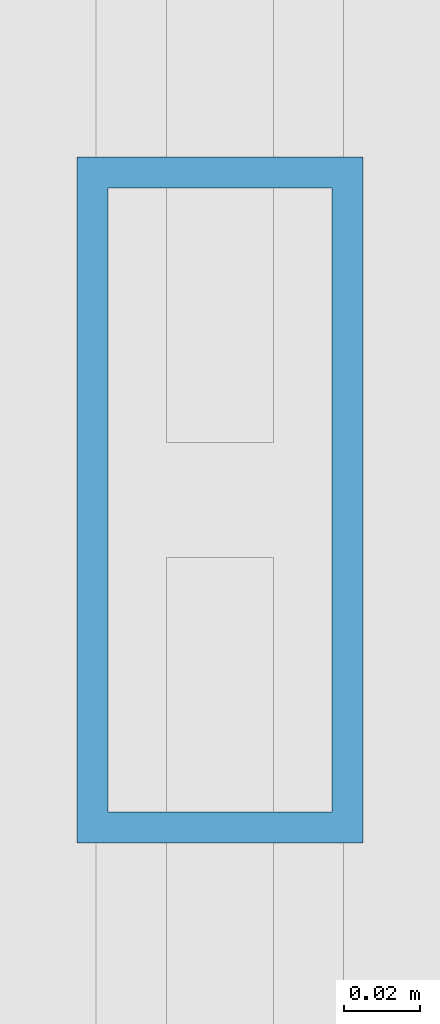
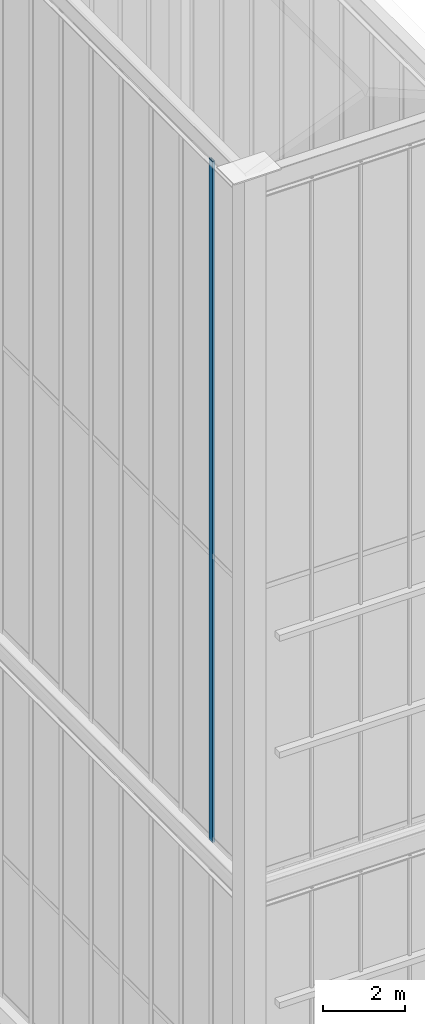
# One storey, part 38 of 135: 1 member, 1 element without a shape of its own.
"""IFC4 building model written with IfcOpenShell, lengths in metres."""

import ifcopenshell
import ifcopenshell.guid

model = None  # the IFC model being written
_history = None  # IfcOwnerHistory: only IFC2X3 demands one
_inside = {}  # id of a spatial element -> (the spatial element, [elements in it])
_under = {}  # id of a project, library or spatial element -> (it, [spatial elements below it])
_declared = {}  # id of a project -> (the project, [libraries it declares])
_typed = {}  # id of a type object -> (the type object, [elements of that type])
_made_of = {}  # id of a material, layer set ... -> (it, [elements and type objects made of it])


def new_model(schema):
    """Start an empty IFC model of exactly this schema.

    Asked for "IFC4X3", IfcOpenShell would pick the latest addendum, in which some entities
    have other attributes; the version numbers below select the first issue.
    IFC2X3 requires an IfcOwnerHistory on every rooted entity: one is made here for all.
    """
    global model, _history
    if schema == "IFC4X3":
        model = ifcopenshell.file(schema_version=(4, 3, 0, 0))
    else:
        model = ifcopenshell.file(schema=schema)
    _inside.clear()
    _under.clear()
    _declared.clear()
    _typed.clear()
    _made_of.clear()
    _history = None
    if model.schema == "IFC2X3":
        org = make("IfcOrganization", Name="unknown")
        user = make(
            "IfcPersonAndOrganization",
            ThePerson=make("IfcPerson", FamilyName="unknown"),
            TheOrganization=org,
        )
        app = make(
            "IfcApplication",
            ApplicationDeveloper=org,
            Version="unknown",
            ApplicationFullName="unknown",
            ApplicationIdentifier="unknown",
        )
        _history = make(
            "IfcOwnerHistory",
            OwningUser=user,
            OwningApplication=app,
            ChangeAction="ADDED",
            CreationDate=0,
        )
    return model


def make(cls, **values):
    """One entity of the class cls with the attributes given. An attribute that is None is left unset."""
    return model.create_entity(
        cls, **{name: value for name, value in values.items() if value is not None}
    )


def rooted(cls, **values):
    """An entity with a GlobalId (a new one), such as an element, a storey or a relation."""
    return make(cls, GlobalId=ifcopenshell.guid.new(), OwnerHistory=_history, **values)


def si_unit(unit_type, name, prefix=None):
    """IfcSIUnit, for example si_unit("LENGTHUNIT", "METRE", prefix="MILLI")."""
    return make("IfcSIUnit", UnitType=unit_type, Prefix=prefix, Name=name)


def assignment(units):
    """IfcUnitAssignment: the units of a project."""
    return None if units is None else make("IfcUnitAssignment", Units=units)


def point(xyz):
    """IfcCartesianPoint."""
    return None if xyz is None else make("IfcCartesianPoint", Coordinates=xyz)


def direction(xyz):
    """IfcDirection."""
    return None if xyz is None else make("IfcDirection", DirectionRatios=xyz)


def frame(location, z_axis=None, x_axis=None):
    """IfcAxis2Placement3D, a coordinate frame: its origin and axes. An axis left out is left unset."""
    return make(
        "IfcAxis2Placement3D",
        Location=point(location),
        Axis=direction(z_axis),
        RefDirection=direction(x_axis),
    )


def frame_2d(location, x_axis=None):
    """IfcAxis2Placement2D, a coordinate frame in the plane: its origin and x axis."""
    return make(
        "IfcAxis2Placement2D", Location=point(location), RefDirection=direction(x_axis)
    )


def origin():
    """The frame at (0, 0, 0) with its axes left unset."""
    return frame((0.0, 0.0, 0.0))


def origin_2d():
    """The frame at (0, 0) in the plane with its x axis left unset."""
    return frame_2d((0.0, 0.0))


def place(relative_to, where):
    """IfcLocalPlacement: puts the frame where relative to a parent placement (None: the world)."""
    return make(
        "IfcLocalPlacement", PlacementRelTo=relative_to, RelativePlacement=where
    )


def context(
    kind, dimensions, precision=None, world=None, true_north=None, identifier=None
):
    """IfcGeometricRepresentationContext, for example the 3D "Model" context."""
    return make(
        "IfcGeometricRepresentationContext",
        ContextIdentifier=identifier,
        ContextType=kind,
        CoordinateSpaceDimension=dimensions,
        Precision=precision,
        WorldCoordinateSystem=world,
        TrueNorth=true_north,
    )


def subcontext(parent, identifier, kind, view, scale=None):
    """IfcGeometricRepresentationSubContext, for example "Body" below "Model"."""
    return make(
        "IfcGeometricRepresentationSubContext",
        ContextIdentifier=identifier,
        ContextType=kind,
        ParentContext=parent,
        TargetScale=scale,
        TargetView=view,
    )


def project(units=None, contexts=None):
    """IfcProject with its units and contexts."""
    return rooted(
        "IfcProject",
        Name="project",
        RepresentationContexts=contexts,
        UnitsInContext=assignment(units),
    )


def spatial(cls, under=None, at=None, **own):
    """A site, building, storey or space (cls), placed at a placement, below another one or the project."""
    s = rooted(cls, ObjectPlacement=at, **own)
    if under is not None:
        _under.setdefault(under.id(), (under, []))[1].append(s)
    return s


def profile(cls, at=None, kind="AREA", **sizes):
    """A parametric profile (cls). Its sizes go by their IFC names, for example OverallWidth=200.0."""
    return make(cls, ProfileType=kind, Position=at, **sizes)


def hollow_rectangle(**sizes):
    """IfcRectangleHollowProfileDef."""
    return profile("IfcRectangleHollowProfileDef", **sizes)


def extrude(swept, where, along, depth):
    """IfcExtrudedAreaSolid: the profile swept, set in the frame where, extruded along a direction by depth."""
    return make(
        "IfcExtrudedAreaSolid",
        SweptArea=swept,
        Position=where,
        ExtrudedDirection=direction(along),
        Depth=depth,
    )


def shape(context_of_items, identifier, shape_type, items):
    """IfcShapeRepresentation: the items that make up one representation, for example the "Body"."""
    return make(
        "IfcShapeRepresentation",
        ContextOfItems=context_of_items,
        RepresentationIdentifier=identifier,
        RepresentationType=shape_type,
        Items=items,
    )


def source(mapping_origin, context_of_items, identifier, shape_type, items):
    """IfcRepresentationMap: a shape defined once, which mapped items show again and again."""
    return make(
        "IfcRepresentationMap",
        MappingOrigin=mapping_origin,
        MappedRepresentation=shape(context_of_items, identifier, shape_type, items),
    )


def transform(
    local_origin,
    x_axis=None,
    y_axis=None,
    z_axis=None,
    scale=None,
    scale2=None,
    scale3=None,
    uniform=True,
):
    """IfcCartesianTransformationOperator3D, or its non-uniform kind. x_axis, y_axis, z_axis: its Axis1, 2, 3."""
    if uniform:
        return make(
            "IfcCartesianTransformationOperator3D",
            Axis1=direction(x_axis),
            Axis2=direction(y_axis),
            LocalOrigin=point(local_origin),
            Scale=scale,
            Axis3=direction(z_axis),
        )
    return make(
        "IfcCartesianTransformationOperator3DnonUniform",
        Axis1=direction(x_axis),
        Axis2=direction(y_axis),
        LocalOrigin=point(local_origin),
        Scale=scale,
        Axis3=direction(z_axis),
        Scale2=scale2,
        Scale3=scale3,
    )


def mapped(mapping_source, mapping_target):
    """IfcMappedItem: shows the shape of a source again, moved by a transform."""
    return make(
        "IfcMappedItem", MappingSource=mapping_source, MappingTarget=mapping_target
    )


def material(Name=None, Category=None):
    """IfcMaterial."""
    return make("IfcMaterial", Name=Name, Category=Category)


def layer(
    of_material, thickness, ventilated=None, Name=None, Category=None, Priority=None
):
    """IfcMaterialLayer: one layer of a wall or slab, of a material (None: an air gap)."""
    return make(
        "IfcMaterialLayer",
        Material=of_material,
        LayerThickness=thickness,
        IsVentilated=ventilated,
        Name=Name,
        Category=Category,
        Priority=Priority,
    )


def layer_set(layers, Name=None):
    """IfcMaterialLayerSet."""
    return make("IfcMaterialLayerSet", MaterialLayers=layers, LayerSetName=Name)


def material_profile(
    of_material, cross_section, Name=None, Category=None, Priority=None
):
    """IfcMaterialProfile: a cross section and its material."""
    return make(
        "IfcMaterialProfile",
        Name=Name,
        Material=of_material,
        Profile=cross_section,
        Priority=Priority,
        Category=Category,
    )


def profile_set(profiles, Name=None, composite=None):
    """IfcMaterialProfileSet."""
    return make(
        "IfcMaterialProfileSet",
        Name=Name,
        MaterialProfiles=profiles,
        CompositeProfile=composite,
    )


def made_of(thing, what):
    """Note that an element or type object is made of a material, layer set ...; save() writes the relation."""
    if what is not None:
        _made_of.setdefault(what.id(), (what, []))[1].append(thing)
    return thing


def type_object(cls, material=None, **own):
    """A type object (cls), such as IfcWallType, which elements share."""
    return made_of(rooted(cls, **own), material)


def element(
    cls,
    number,
    at=None,
    inside=None,
    cuts=None,
    type_object=None,
    material=None,
    context=None,
    identifier="Body",
    shape_type=None,
    held_by="IfcProductDefinitionShape",
    body=None,
    shapes=None,
    **own,
):
    """One element of the class cls, such as IfcWall. Its Tag is "e" and its number.

    at: its placement. inside: the storey or other place that contains it. cuts: it is an
    opening in that element (IfcRelVoidsElement). A single representation is given by context,
    identifier, shape_type and body (its items); several are given by shapes. held_by: the class
    of the entity that holds the representations. save() writes the other relations.
    """
    e = rooted(cls, Tag="e%d" % number, ObjectPlacement=at, **own)
    if body is not None:
        shapes = [shape(context, identifier, shape_type, body)]
    if shapes is not None:
        e.Representation = make(held_by, Representations=shapes)
    if inside is not None:
        _inside.setdefault(inside.id(), (inside, []))[1].append(e)
    if cuts is not None:
        rooted(
            "IfcRelVoidsElement", RelatingBuildingElement=cuts, RelatedOpeningElement=e
        )
    if type_object is not None:
        _typed.setdefault(type_object.id(), (type_object, []))[1].append(e)
    return made_of(e, material)


def aggregate(whole, parts):
    """IfcRelAggregates: a whole, such as a stair, and the parts it consists of."""
    return rooted("IfcRelAggregates", RelatingObject=whole, RelatedObjects=parts)


def save(model, path):
    """Write the relations noted so far, then the file.

    IfcRelAggregates (storeys below a building ...), IfcRelContainedInSpatialStructure (elements
    in a storey), IfcRelDefinesByType, IfcRelAssociatesMaterial and IfcRelDeclares: one each for
    every whole, place, type object, material and project.
    """
    for whole, parts in _under.values():
        aggregate(whole, parts)
    for where, things in _inside.values():
        rooted(
            "IfcRelContainedInSpatialStructure",
            RelatedElements=things,
            RelatingStructure=where,
        )
    for kind, things in _typed.values():
        rooted("IfcRelDefinesByType", RelatedObjects=things, RelatingType=kind)
    for what, things in _made_of.values():
        rooted("IfcRelAssociatesMaterial", RelatedObjects=things, RelatingMaterial=what)
    for by, libraries in _declared.values():
        rooted("IfcRelDeclares", RelatingContext=by, RelatedDefinitions=libraries)
    model.write(path)


model = new_model("IFC4")

# Units and contexts
model_context = context("Model", 3, precision=1e-05, world=origin(), true_north=direction((0.0, 1.0)))
body_context = subcontext(model_context, "Body", "Model", "MODEL_VIEW")
ifc_project = project(units=[si_unit("LENGTHUNIT", "METRE"), si_unit("AREAUNIT", "SQUARE_METRE"), si_unit("VOLUMEUNIT", "CUBIC_METRE"), si_unit("PLANEANGLEUNIT", "RADIAN"), si_unit("MASSUNIT", "GRAM", prefix="KILO")], contexts=[model_context])

# Site, building, storey
site_placement = place(None, origin())
site = spatial("IfcSite", under=ifc_project, at=site_placement, CompositionType="ELEMENT")
building_placement = place(site_placement, origin())
building = spatial("IfcBuilding", under=site, at=building_placement, Name="Giltprow Tower", CompositionType="ELEMENT")
storey_placement = place(building_placement, frame((0.0, 0.0, 352.699951171875)))
storey = spatial("IfcBuildingStorey", under=building, at=storey_placement, Name="L92", CompositionType="ELEMENT", Elevation=352.699951171875)

# Curtain wall, member
ifc_material = material(Name="Anodized bronze", Category="metal")
ifc_layer = layer(ifc_material, 0.179931640625, Name="Anodized bronze")
ifc_layer_set = layer_set([ifc_layer], Name="Anodized bronze")
curtain_wall_type = type_object("IfcCurtainWallType", Name="CW-CROWN-LANTERN", PredefinedType="NOTDEFINED", material=ifc_layer_set)
curtain_wall_placement = place(storey_placement, origin())
curtain_wall = element("IfcCurtainWall", 1, at=curtain_wall_placement, inside=storey, type_object=curtain_wall_type, Name="Crown East Upper Lantern Glazing 6", PredefinedType="NOTDEFINED")
ifc_material_profile = material_profile(ifc_material, hollow_rectangle(XDim=0.074951171875, YDim=0.179931640625, WallThickness=0.008056640625, at=origin_2d()), Name="RHS 180x75x8")
ifc_profile_set = profile_set([ifc_material_profile], Name="Anodized bronze")
member_type = type_object("IfcMemberType", Name="CW-MULLION-180x75", PredefinedType="MULLION", material=ifc_profile_set)
shared_shape = source(origin(), body_context, "Body", "SweptSolid", [
    extrude(hollow_rectangle(XDim=0.074951171875, YDim=0.179931640625, WallThickness=0.008056640625, at=origin_2d()), origin(), (0.0, 0.0, 1.0), 20.406005859375),
])
member_placement = place(storey_placement, frame((44.300048828125, 25.322021484375, 17.25), z_axis=(0.0, 0.0, 1.0), x_axis=(1.0, 0.0, 0.0)))
member = element("IfcMember", 2, at=member_placement, type_object=member_type, Name="Crown East Upper Lantern Glazing 6 Mullion 9", PredefinedType="MULLION", context=body_context, shape_type="MappedRepresentation", body=[
    mapped(shared_shape, transform((0.0, 0.0, 0.0), x_axis=(1.0, 0.0, 0.0), y_axis=(0.0, 1.0, 0.0), z_axis=(0.0, 0.0, 1.0), scale=1.0)),
])
aggregate(curtain_wall, [member])

save(model, "model.ifc")
